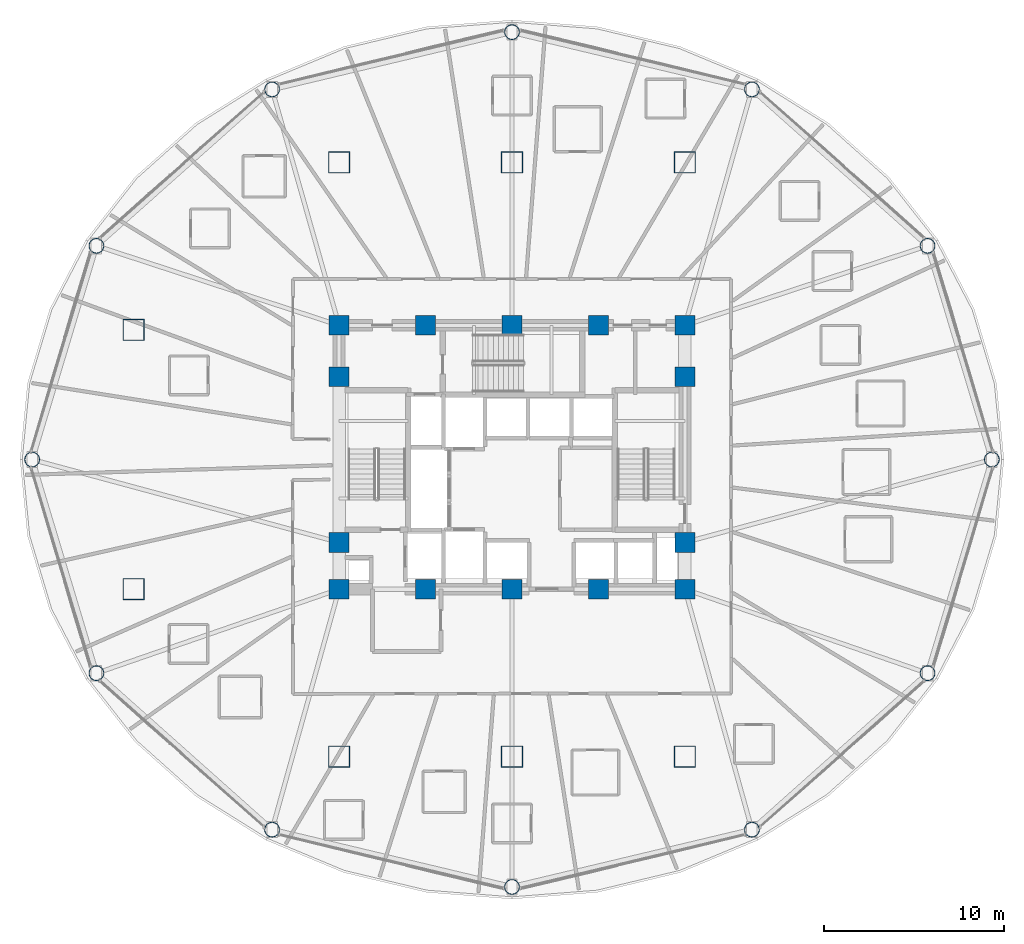
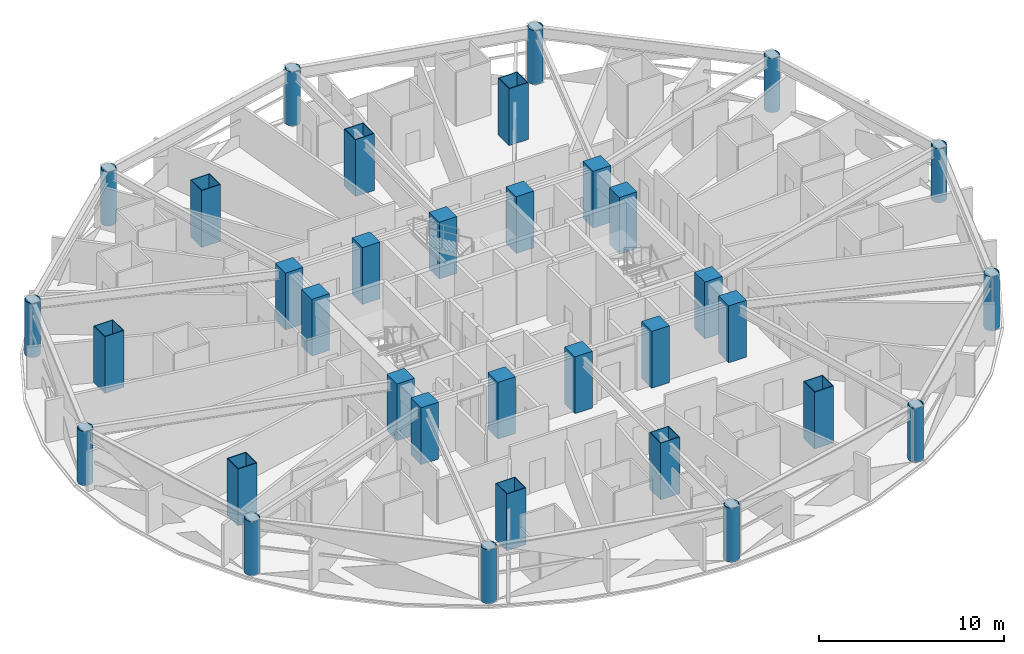
# One storey, part 1 of 32: 34 columns.
"""IFC4 building model written with IfcOpenShell, lengths in metres."""

from ifc_helpers import new_model, si_unit, direction, frame, origin, origin_2d, place, context, subcontext, project, spatial, rectangle, hollow_rectangle, hollow_circle, extrude, material, material_profile, profile_set, type_object, element, save


model = new_model("IFC4")

# Units and contexts
model_context = context("Model", 3, precision=1e-05, world=origin(), true_north=direction((0.0, 1.0)))
body_context = subcontext(model_context, "Body", "Model", "MODEL_VIEW")
ifc_project = project(units=[si_unit("LENGTHUNIT", "METRE"), si_unit("AREAUNIT", "SQUARE_METRE"), si_unit("VOLUMEUNIT", "CUBIC_METRE"), si_unit("PLANEANGLEUNIT", "RADIAN"), si_unit("MASSUNIT", "GRAM", prefix="KILO")], contexts=[model_context])

# Site, building, storey
site_placement = place(None, origin())
site = spatial("IfcSite", under=ifc_project, at=site_placement, CompositionType="ELEMENT")
building_placement = place(site_placement, origin())
building = spatial("IfcBuilding", under=site, at=building_placement, Name="Vantalir Tower", CompositionType="ELEMENT")
storey_placement = place(building_placement, frame((0.0, 0.0, 45.75)))
storey = spatial("IfcBuildingStorey", under=building, at=storey_placement, Name="L10", CompositionType="ELEMENT", Elevation=45.75)

# Columns
ifc_material_1 = material(Name="Concrete C60/75", Category="concrete")
ifc_material_profile_1 = material_profile(ifc_material_1, rectangle(XDim=1.10009765625, YDim=1.10009765625, at=origin_2d()), Name="Concrete C60/75")
ifc_profile_set_1 = profile_set([ifc_material_profile_1], Name="Concrete C60/75")
column_type_1 = type_object("IfcColumnType", Name="COL-CC-1100", PredefinedType="COLUMN", material=ifc_profile_set_1)
for number, where, z_axis, x_axis, name in (
    (1, (21.89990234375, 17.800048828125, 0.0), (0.0, 0.0, 1.0), (1.0, 0.0, 0.0), "L10 Core Column CC01"),
    (2, (26.699951171875, 17.800048828125, 0.0), (0.0, 0.0, 1.0), (1.0, 0.0, 0.0), "L10 Core Column CC02"),
    (3, (31.5, 17.800048828125, 0.0), (0.0, 0.0, 1.0), (1.0, 0.0, 0.0), "L10 Core Column CC03"),
    (4, (36.300048828125, 17.800048828125, 0.0), (0.0, 0.0, 1.0), (1.0, 0.0, 0.0), "L10 Core Column CC04"),
    (5, (41.10009765625, 17.800048828125, 0.0), (0.0, 0.0, 1.0), (1.0, 0.0, 0.0), "L10 Core Column CC05"),
    (6, (21.89990234375, 20.39990234375, 0.0), (0.0, 0.0, 1.0), (1.0, 0.0, 0.0), "L10 Core Column CC06"),
    (7, (21.89990234375, 29.60009765625, 0.0), (0.0, 0.0, 1.0), (1.0, 0.0, 0.0), "L10 Core Column CC07"),
    (8, (41.10009765625, 20.39990234375, 0.0), (0.0, 0.0, 1.0), (1.0, 0.0, 0.0), "L10 Core Column CC08"),
    (9, (41.10009765625, 29.60009765625, 0.0), (0.0, 0.0, 1.0), (1.0, 0.0, 0.0), "L10 Core Column CC09"),
    (10, (21.89990234375, 32.449951171875, 0.0), (0.0, 0.0, 1.0), (1.0, 0.0, 0.0), "L10 Core Column CC10"),
    (11, (26.699951171875, 32.449951171875, 0.0), (0.0, 0.0, 1.0), (1.0, 0.0, 0.0), "L10 Core Column CC11"),
    (12, (31.5, 32.449951171875, 0.0), (0.0, 0.0, 1.0), (1.0, 0.0, 0.0), "L10 Core Column CC12"),
    (13, (36.300048828125, 32.449951171875, 0.0), (0.0, 0.0, 1.0), (1.0, 0.0, 0.0), "L10 Core Column CC13"),
    (14, (41.10009765625, 32.449951171875, 0.0), (0.0, 0.0, 1.0), (1.0, 0.0, 0.0), "L10 Core Column CC14"),
):
    element("IfcColumn", number, at=place(storey_placement, frame(where, z_axis=z_axis, x_axis=x_axis)), inside=storey, type_object=column_type_1, Name=name, PredefinedType="COLUMN", context=body_context, shape_type="SweptSolid", body=[
        extrude(rectangle(XDim=1.10009765625, YDim=1.10009765625, at=origin_2d()), origin(), (0.0, 0.0, 1.0), 3.75),
    ])
ifc_material_2 = material(Name="Steel S460", Category="steel")
ifc_material_profile_2 = material_profile(ifc_material_2, hollow_rectangle(XDim=1.199951171875, YDim=1.199951171875, WallThickness=0.044921875, at=origin_2d()), Name="Steel S460")
ifc_profile_set_2 = profile_set([ifc_material_profile_2], Name="Steel S460")
column_type_2 = type_object("IfcColumnType", Name="COL-MC-1200", PredefinedType="COLUMN", material=ifc_profile_set_2)
for number, where, z_axis, x_axis, name in (
    (15, (21.89990234375, 8.5, 0.0), (0.0, 0.0, 1.0), (1.0, 0.0, 0.0), "L10 S460 Mega-Column MC01"),
    (16, (31.5, 8.5, 0.0), (0.0, 0.0, 1.0), (1.0, 0.0, 0.0), "L10 S460 Mega-Column MC02"),
    (17, (41.10009765625, 8.5, 0.0), (0.0, 0.0, 1.0), (1.0, 0.0, 0.0), "L10 S460 Mega-Column MC03"),
    (18, (10.5, 17.800048828125, 0.0), (0.0, 0.0, 1.0), (1.0, 0.0, 0.0), "L10 S460 Mega-Column MC04"),
    (19, (10.5, 32.199951171875, 0.0), (0.0, 0.0, 1.0), (1.0, 0.0, 0.0), "L10 S460 Mega-Column MC05"),
    (20, (21.89990234375, 41.5, 0.0), (0.0, 0.0, 1.0), (1.0, 0.0, 0.0), "L10 S460 Mega-Column MC06"),
    (21, (31.5, 41.5, 0.0), (0.0, 0.0, 1.0), (1.0, 0.0, 0.0), "L10 S460 Mega-Column MC07"),
    (22, (41.10009765625, 41.5, 0.0), (0.0, 0.0, 1.0), (1.0, 0.0, 0.0), "L10 S460 Mega-Column MC08"),
):
    element("IfcColumn", number, at=place(storey_placement, frame(where, z_axis=z_axis, x_axis=x_axis)), inside=storey, type_object=column_type_2, Name=name, PredefinedType="COLUMN", context=body_context, shape_type="SweptSolid", body=[
        extrude(hollow_rectangle(XDim=1.199951171875, YDim=1.199951171875, WallThickness=0.044921875, at=origin_2d()), origin(), (0.0, 0.0, 1.0), 3.75),
    ])
ifc_material_profile_3 = material_profile(ifc_material_2, hollow_circle(Radius=0.425048828125, WallThickness=0.0400390625, at=origin_2d()), Name="Steel S460")
ifc_profile_set_3 = profile_set([ifc_material_profile_3], Name="Steel S460")
column_type_3 = type_object("IfcColumnType", Name="COL-RC-850", PredefinedType="COLUMN", material=ifc_profile_set_3)
for number, where, z_axis, x_axis, name in (
    (23, (58.138916015625, 25.0, 0.0), (0.0, 0.0, 1.0), (1.0, 0.0, 0.0), "L10 Perimeter Ring Column RC01"),
    (24, (54.570068359375, 36.863037109375, 0.0), (0.0, 0.0, 1.0), (1.0, 0.0, 0.0), "L10 Perimeter Ring Column RC02"),
    (25, (44.820068359375, 45.547119140625, 0.0), (0.0, 0.0, 1.0), (1.0, 0.0, 0.0), "L10 Perimeter Ring Column RC03"),
    (26, (31.5, 48.72607421875, 0.0), (0.0, 0.0, 1.0), (1.0, 0.0, 0.0), "L10 Perimeter Ring Column RC04"),
    (27, (18.180908203125, 45.547119140625, 0.0), (0.0, 0.0, 1.0), (1.0, 0.0, 0.0), "L10 Perimeter Ring Column RC05"),
    (28, (8.429931640625, 36.863037109375, 0.0), (0.0, 0.0, 1.0), (1.0, 0.0, 0.0), "L10 Perimeter Ring Column RC06"),
    (29, (4.861083984375, 25.0, 0.0), (0.0, 0.0, 1.0), (1.0, 0.0, 0.0), "L10 Perimeter Ring Column RC07"),
    (30, (8.429931640625, 13.136962890625, 0.0), (0.0, 0.0, 1.0), (1.0, 0.0, 0.0), "L10 Perimeter Ring Column RC08"),
    (31, (18.179931640625, 4.452880859375, 0.0), (0.0, 0.0, 1.0), (1.0, 0.0, 0.0), "L10 Perimeter Ring Column RC09"),
    (32, (31.5, 1.27392578125, 0.0), (0.0, 0.0, 1.0), (1.0, 0.0, 0.0), "L10 Perimeter Ring Column RC10"),
    (33, (44.820068359375, 4.452880859375, 0.0), (0.0, 0.0, 1.0), (1.0, 0.0, 0.0), "L10 Perimeter Ring Column RC11"),
    (34, (54.570068359375, 13.136962890625, 0.0), (0.0, 0.0, 1.0), (1.0, 0.0, 0.0), "L10 Perimeter Ring Column RC12"),
):
    element("IfcColumn", number, at=place(storey_placement, frame(where, z_axis=z_axis, x_axis=x_axis)), inside=storey, type_object=column_type_3, Name=name, PredefinedType="COLUMN", context=body_context, shape_type="SweptSolid", body=[
        extrude(hollow_circle(Radius=0.425048828125, WallThickness=0.0400390625, at=origin_2d()), origin(), (0.0, 0.0, 1.0), 3.570068359375),
    ])

save(model, "model.ifc")
